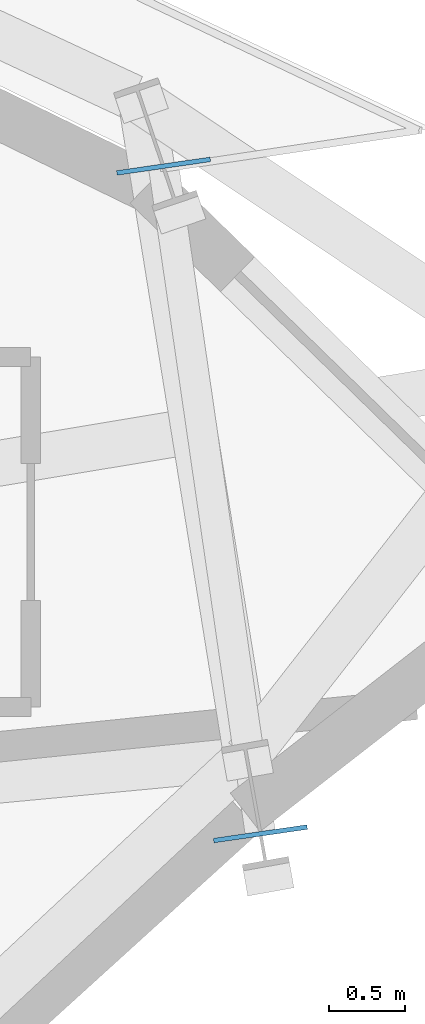
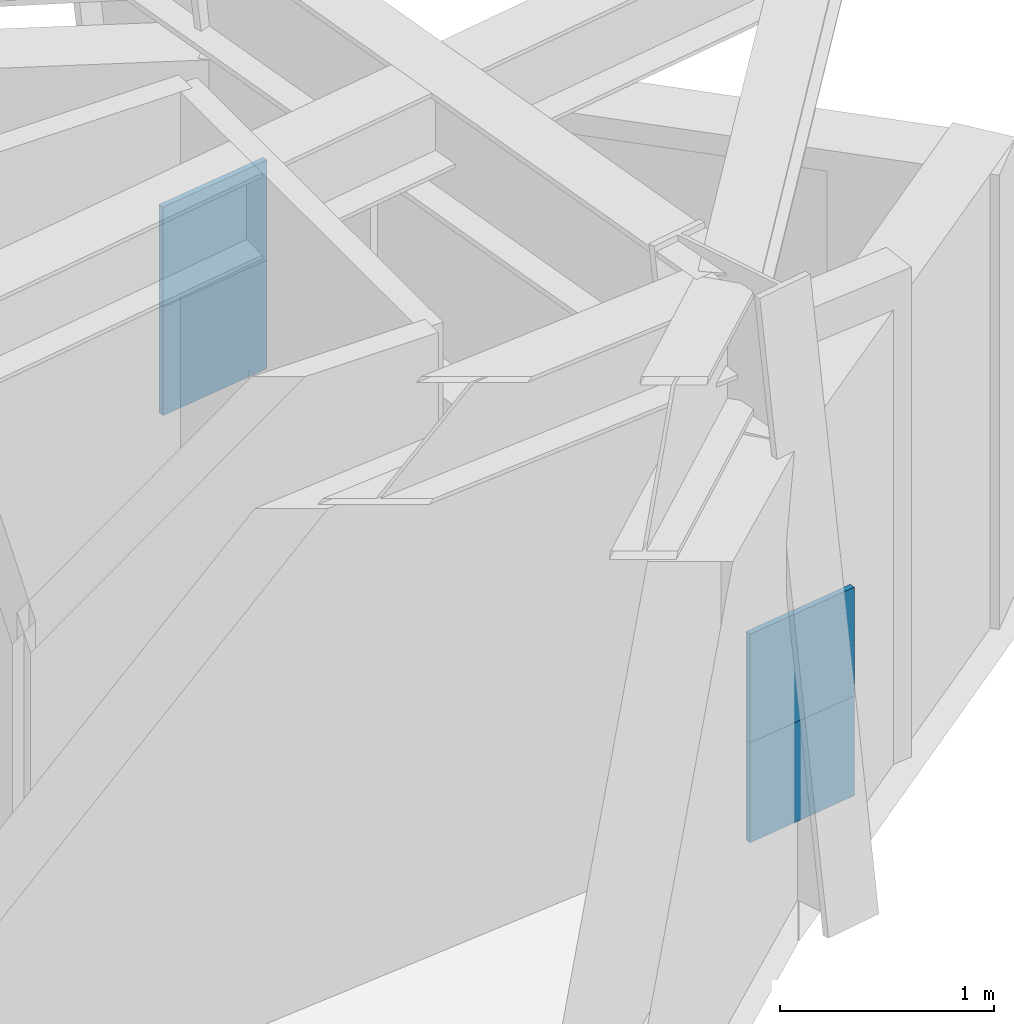
# One storey, part 13 of 21: 4 plates.
"""IFC4 building model written with IfcOpenShell, lengths in metres."""

from ifc_helpers import new_model, si_unit, direction, frame, origin, origin_2d, place, context, subcontext, project, spatial, rectangle, extrude, source, transform, mapped, material, type_object, element, save


model = new_model("IFC4")

# Units and contexts
model_context = context("Model", 3, precision=1e-05, world=origin(), true_north=direction((0.0, 1.0)))
body_context = subcontext(model_context, "Body", "Model", "MODEL_VIEW")
ifc_project = project(units=[si_unit("LENGTHUNIT", "METRE"), si_unit("AREAUNIT", "SQUARE_METRE"), si_unit("VOLUMEUNIT", "CUBIC_METRE"), si_unit("PLANEANGLEUNIT", "RADIAN"), si_unit("MASSUNIT", "GRAM", prefix="KILO")], contexts=[model_context])

# Site, building, storey
site_placement = place(None, origin())
site = spatial("IfcSite", under=ifc_project, at=site_placement, CompositionType="ELEMENT")
building_placement = place(site_placement, origin())
building = spatial("IfcBuilding", under=site, at=building_placement, Name="Olszyna Solenne Hotel", CompositionType="ELEMENT")
storey_placement = place(building_placement, frame((0.0, 0.0, 68.35009765625)))
storey = spatial("IfcBuildingStorey", under=building, at=storey_placement, Name="L17", CompositionType="ELEMENT", Elevation=68.35009765625)

# Plates
ifc_material = material(Name="Steel S460M", Category="steel")
plate_type = type_object("IfcPlateType", Name="GP-CAP2", PredefinedType="USERDEFINED", material=ifc_material)
shared_shape = source(origin(), body_context, "Body", "SweptSolid", [
    extrude(rectangle(XDim=0.030029296875, YDim=0.6201171875, at=origin_2d()), origin(), (0.0, 0.0, 1.0), 0.6201171875),
])
for number, where, z_axis, x_axis, name in (
    (1, (68.48046875, 28.9501953125, 1.039794921875), (0.0, 0.0, 1.0), (-0.143492621991, 0.98965138682, 0.0), "Hollow section end-cap plate GP-CAP2 CP-PR-M-L17-PR1-1"),
    (2, (67.844482421875, 33.3359375, 1.039794921875), (0.0, 0.0, 1.0), (-0.143492621991, 0.98965138682, 0.0), "Hollow section end-cap plate GP-CAP2 CP-PR-M-L17-PR1-2"),
    (3, (68.48046875, 28.9501953125, 0.4697265625), (0.0, 0.0, 1.0), (-0.143492621991, 0.98965138682, 0.0), "Hollow section end-cap plate GP-CAP2 CP-PR-M-L17-PR2-1"),
    (4, (67.844482421875, 33.3359375, 0.4697265625), (0.0, 0.0, 1.0), (-0.143492621991, 0.98965138682, 0.0), "Hollow section end-cap plate GP-CAP2 CP-PR-M-L17-PR2-2"),
):
    element("IfcPlate", number, at=place(storey_placement, frame(where, z_axis=z_axis, x_axis=x_axis)), inside=storey, type_object=plate_type, Name=name, ObjectType="GUSSET_PLATE", PredefinedType="USERDEFINED", context=body_context, shape_type="MappedRepresentation", body=[
        mapped(shared_shape, transform((0.0, 0.0, 0.0), x_axis=(1.0, 0.0, 0.0), y_axis=(0.0, 1.0, 0.0), z_axis=(0.0, 0.0, 1.0), scale=1.0)),
    ])

save(model, "model.ifc")
